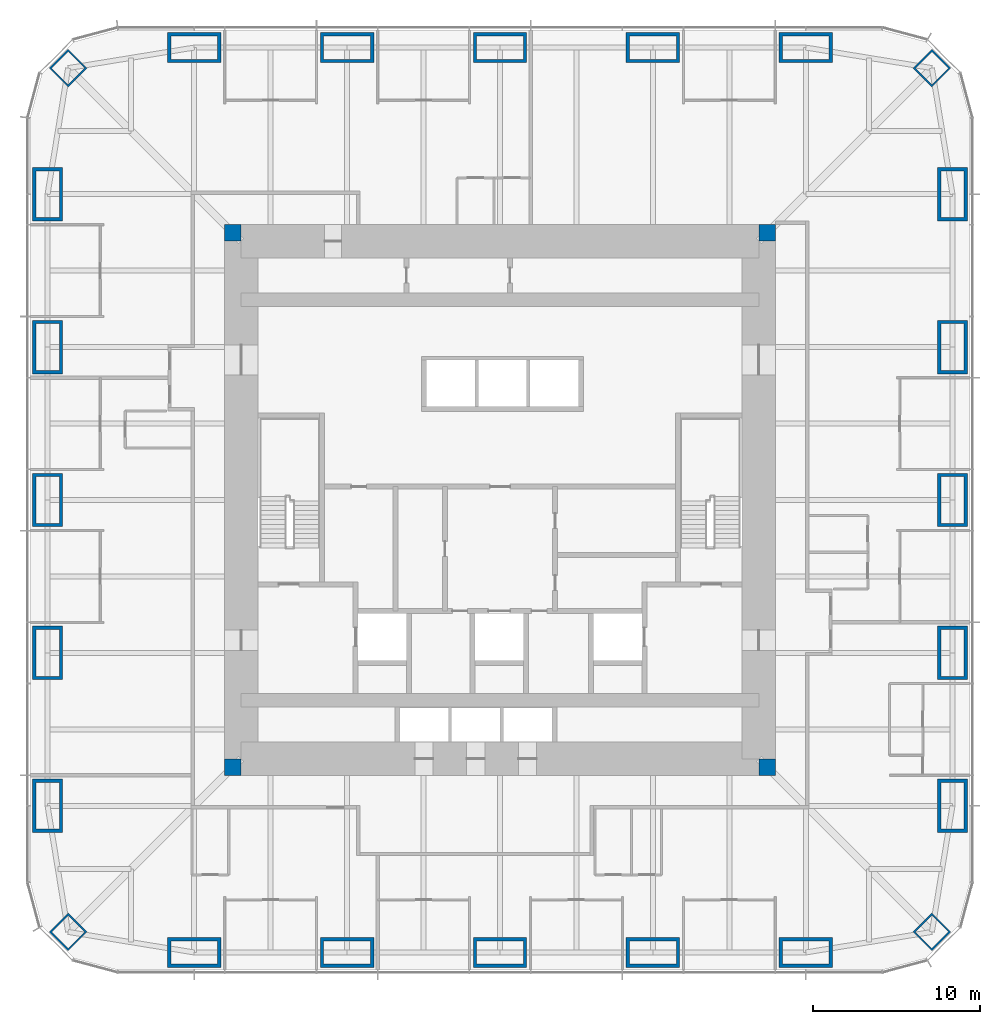
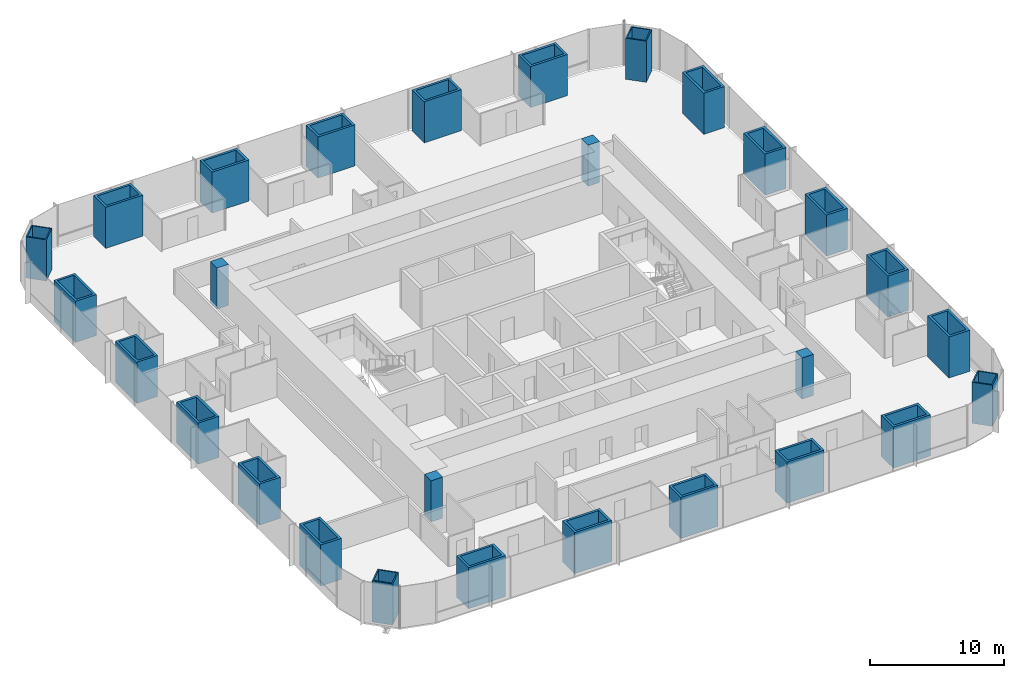
# One storey, part 1 of 11: 28 columns.
"""IFC4 building model written with IfcOpenShell, lengths in metres."""

from ifc_helpers import new_model, si_unit, direction, frame, origin, origin_2d, place, context, subcontext, project, spatial, rectangle, hollow_rectangle, extrude, material, material_profile, profile_set, type_object, element, save


model = new_model("IFC4")

# Units and contexts
model_context = context("Model", 3, precision=1e-05, world=origin(), true_north=direction((0.0, 1.0)))
body_context = subcontext(model_context, "Body", "Model", "MODEL_VIEW")
ifc_project = project(units=[si_unit("LENGTHUNIT", "METRE"), si_unit("AREAUNIT", "SQUARE_METRE"), si_unit("VOLUMEUNIT", "CUBIC_METRE"), si_unit("PLANEANGLEUNIT", "RADIAN"), si_unit("MASSUNIT", "GRAM", prefix="KILO")], contexts=[model_context])

# Site, building, storey
site_placement = place(None, origin())
site = spatial("IfcSite", under=ifc_project, at=site_placement, CompositionType="ELEMENT")
building_placement = place(site_placement, origin())
building = spatial("IfcBuilding", under=site, at=building_placement, Name="Khuree Lantern Residences", CompositionType="ELEMENT")
storey_placement = place(building_placement, frame((0.0, 0.0, 174.75)))
storey = spatial("IfcBuildingStorey", under=building, at=storey_placement, Name="L44", CompositionType="ELEMENT", Elevation=174.75)

# Columns
ifc_material_1 = material(Name="Steel S355 CFT welded box", Category="steel")
ifc_material_profile_1 = material_profile(ifc_material_1, hollow_rectangle(XDim=1.60009765625, YDim=1.60009765625, WallThickness=0.10009765625, at=origin_2d()), Name="WELDED BOX 1600X1600X100")
ifc_profile_set_1 = profile_set([ifc_material_profile_1], Name="Steel S355 CFT welded box")
column_type_1 = type_object("IfcColumnType", Name="CC1600 PERIMETER CORNER MEGA COLUMN WELDED BOX 1600X1600X100", PredefinedType="COLUMN", material=ifc_profile_set_1)
for number, where, z_axis, x_axis, name in (
    (1, (25.869873046875, 25.869873046875, 0.0), (0.0, 0.0, 1.0), (0.707106781187, -0.707106781187, 0.0), "Perimeter column NE"),
    (2, (25.869873046875, -25.869873046875, 0.0), (0.0, 0.0, 1.0), (0.707106781187, 0.707106781187, 0.0), "Perimeter column SE"),
    (3, (-25.869873046875, -25.869873046875, 0.0), (0.0, 0.0, 1.0), (0.707106781187, -0.707106781187, 0.0), "Perimeter column SW"),
    (4, (-25.869873046875, 25.869873046875, 0.0), (0.0, 0.0, 1.0), (0.707106781187, 0.707106781187, 0.0), "Perimeter column NW"),
):
    element("IfcColumn", number, at=place(storey_placement, frame(where, z_axis=z_axis, x_axis=x_axis)), inside=storey, type_object=column_type_1, Name=name, PredefinedType="COLUMN", context=body_context, shape_type="SweptSolid", body=[
        extrude(hollow_rectangle(XDim=1.60009765625, YDim=1.60009765625, WallThickness=0.10009765625, at=origin_2d()), origin(), (0.0, 0.0, 1.0), 3.75),
    ])
ifc_material_2 = material(Name="Concrete C70/85", Category="concrete")
ifc_material_profile_2 = material_profile(ifc_material_2, rectangle(XDim=1.0, YDim=1.0, at=origin_2d()), Name="RC 1000X1000")
ifc_profile_set_2 = profile_set([ifc_material_profile_2], Name="Concrete C70/85")
column_type_2 = type_object("IfcColumnType", Name="CP1000-C70 CORE CORNER PIER C70 RC 1000X1000", PredefinedType="COLUMN", material=ifc_profile_set_2)
for number, where, z_axis, x_axis, name in (
    (5, (16.0, 16.0, -0.25), (0.0, 0.0, 1.0), (1.0, 0.0, 0.0), "Core corner pier NE"),
    (6, (-16.0, 16.0, -0.25), (0.0, 0.0, 1.0), (1.0, 0.0, 0.0), "Core corner pier NW"),
    (7, (-16.0, -16.0, -0.25), (0.0, 0.0, 1.0), (1.0, 0.0, 0.0), "Core corner pier SW"),
    (8, (16.0, -16.0, -0.25), (0.0, 0.0, 1.0), (1.0, 0.0, 0.0), "Core corner pier SE"),
):
    element("IfcColumn", number, at=place(storey_placement, frame(where, z_axis=z_axis, x_axis=x_axis)), inside=storey, type_object=column_type_2, Name=name, PredefinedType="COLUMN", context=body_context, shape_type="SweptSolid", body=[
        extrude(rectangle(XDim=1.0, YDim=1.0, at=origin_2d()), origin(), (0.0, 0.0, 1.0), 3.75),
    ])
ifc_material_profile_3 = material_profile(ifc_material_1, hollow_rectangle(XDim=3.199951171875, YDim=1.800048828125, WallThickness=0.199951171875, at=origin_2d()), Name="WELDED BOX 3200X1800X200")
ifc_profile_set_3 = profile_set([ifc_material_profile_3], Name="Steel S355 CFT welded box")
column_type_3 = type_object("IfcColumnType", Name="SC1 PERIMETER MEGA COLUMN WELDED BOX 3200X1800X200", PredefinedType="COLUMN", material=ifc_profile_set_3)
for number, where, z_axis, x_axis, name in (
    (9, (-18.320068359375, 27.10009765625, 0.0), (0.0, 0.0, 1.0), (1.0, 0.0, 0.0), "Perimeter column N1"),
    (10, (-9.159912109375, 27.10009765625, 0.0), (0.0, 0.0, 1.0), (1.0, 0.0, 0.0), "Perimeter column N2"),
    (11, (0.0, 27.10009765625, 0.0), (0.0, 0.0, 1.0), (1.0, 0.0, 0.0), "Perimeter column N3"),
    (12, (9.159912109375, 27.10009765625, 0.0), (0.0, 0.0, 1.0), (1.0, 0.0, 0.0), "Perimeter column N4"),
    (13, (18.320068359375, 27.10009765625, 0.0), (0.0, 0.0, 1.0), (1.0, 0.0, 0.0), "Perimeter column N5"),
    (14, (27.10009765625, 18.320068359375, 0.0), (0.0, 0.0, 1.0), (0.0, 1.0, 0.0), "Perimeter column E1"),
    (15, (27.10009765625, 9.159912109375, 0.0), (0.0, 0.0, 1.0), (0.0, 1.0, 0.0), "Perimeter column E2"),
    (16, (27.10009765625, 0.0, 0.0), (0.0, 0.0, 1.0), (0.0, 1.0, 0.0), "Perimeter column E3"),
    (17, (27.10009765625, -9.159912109375, 0.0), (0.0, 0.0, 1.0), (0.0, 1.0, 0.0), "Perimeter column E4"),
    (18, (27.10009765625, -18.320068359375, 0.0), (0.0, 0.0, 1.0), (0.0, 1.0, 0.0), "Perimeter column E5"),
    (19, (18.320068359375, -27.10009765625, 0.0), (0.0, 0.0, 1.0), (1.0, 0.0, 0.0), "Perimeter column S1"),
    (20, (9.159912109375, -27.10009765625, 0.0), (0.0, 0.0, 1.0), (1.0, 0.0, 0.0), "Perimeter column S2"),
    (21, (0.0, -27.10009765625, 0.0), (0.0, 0.0, 1.0), (1.0, 0.0, 0.0), "Perimeter column S3"),
    (22, (-9.159912109375, -27.10009765625, 0.0), (0.0, 0.0, 1.0), (1.0, 0.0, 0.0), "Perimeter column S4"),
    (23, (-18.320068359375, -27.10009765625, 0.0), (0.0, 0.0, 1.0), (1.0, 0.0, 0.0), "Perimeter column S5"),
    (24, (-27.10009765625, -18.320068359375, 0.0), (0.0, 0.0, 1.0), (0.0, 1.0, 0.0), "Perimeter column W1"),
    (25, (-27.10009765625, -9.159912109375, 0.0), (0.0, 0.0, 1.0), (0.0, 1.0, 0.0), "Perimeter column W2"),
    (26, (-27.10009765625, 0.0, 0.0), (0.0, 0.0, 1.0), (0.0, 1.0, 0.0), "Perimeter column W3"),
    (27, (-27.10009765625, 9.159912109375, 0.0), (0.0, 0.0, 1.0), (0.0, 1.0, 0.0), "Perimeter column W4"),
    (28, (-27.10009765625, 18.320068359375, 0.0), (0.0, 0.0, 1.0), (0.0, 1.0, 0.0), "Perimeter column W5"),
):
    element("IfcColumn", number, at=place(storey_placement, frame(where, z_axis=z_axis, x_axis=x_axis)), inside=storey, type_object=column_type_3, Name=name, PredefinedType="COLUMN", context=body_context, shape_type="SweptSolid", body=[
        extrude(hollow_rectangle(XDim=3.199951171875, YDim=1.800048828125, WallThickness=0.199951171875, at=origin_2d()), origin(), (0.0, 0.0, 1.0), 3.75),
    ])

save(model, "model.ifc")
